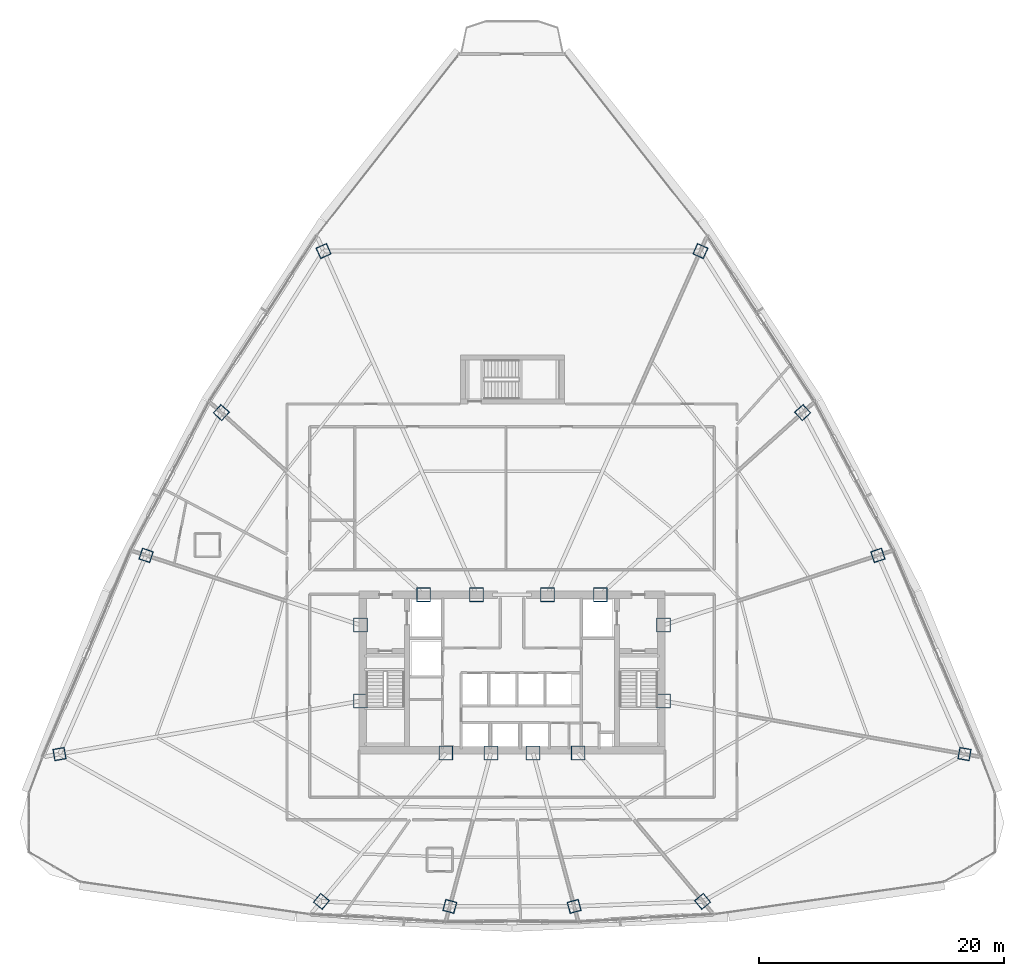
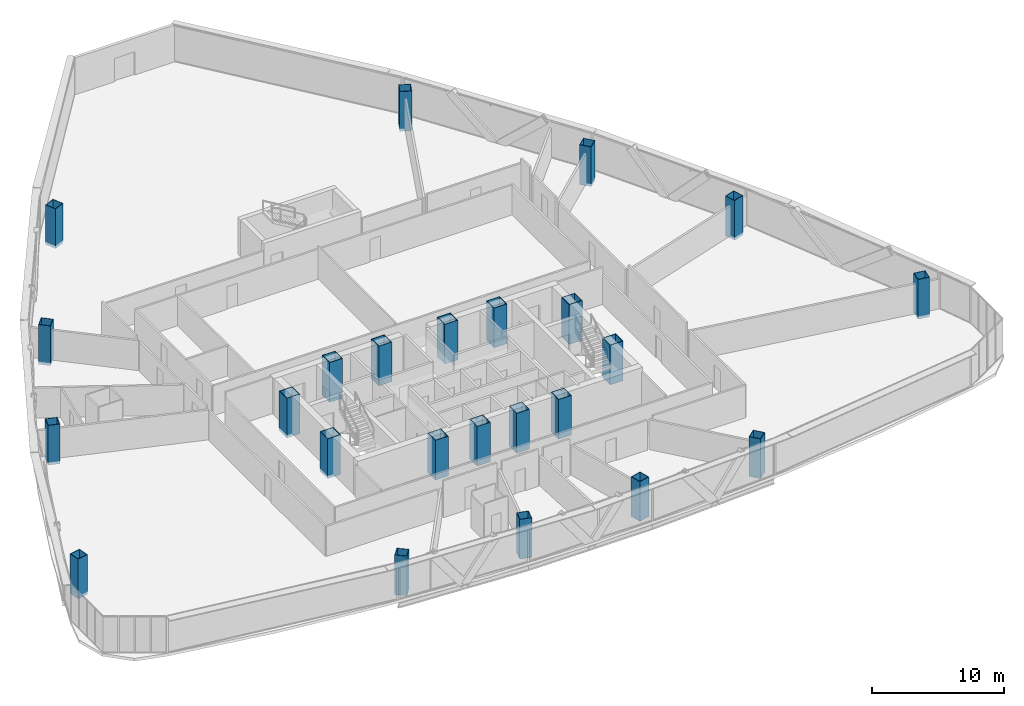
# One storey, part 1 of 42: 24 columns.
"""IFC4 building model written with IfcOpenShell, lengths in metres."""

from ifc_helpers import new_model, si_unit, direction, frame, origin, origin_2d, place, context, subcontext, project, spatial, hollow_rectangle, extrude, source, transform, mapped, material, material_profile, profile_set, type_object, element, save


model = new_model("IFC4")

# Units and contexts
model_context = context("Model", 3, precision=1e-05, world=origin(), true_north=direction((0.0, 1.0)))
body_context = subcontext(model_context, "Body", "Model", "MODEL_VIEW")
ifc_project = project(units=[si_unit("LENGTHUNIT", "METRE"), si_unit("AREAUNIT", "SQUARE_METRE"), si_unit("VOLUMEUNIT", "CUBIC_METRE"), si_unit("PLANEANGLEUNIT", "RADIAN"), si_unit("MASSUNIT", "GRAM", prefix="KILO"), si_unit("THERMODYNAMICTEMPERATUREUNIT", "KELVIN"), si_unit("POWERUNIT", "WATT")], contexts=[model_context])

# Site, building, storey
site_placement = place(None, origin())
site = spatial("IfcSite", under=ifc_project, at=site_placement, CompositionType="ELEMENT")
building_placement = place(site_placement, origin())
building = spatial("IfcBuilding", under=site, at=building_placement, Name="Yunzhuo Pagoda Commons", CompositionType="ELEMENT")
storey_placement = place(building_placement, frame((0.0, 0.0, 151.909912109375)))
storey = spatial("IfcBuildingStorey", under=building, at=storey_placement, Name="L38", CompositionType="ELEMENT", Elevation=151.909912109375)

# Columns
ifc_material = material(Name="Structural steel Q420B", Category="steel")
ifc_material_profile_1 = material_profile(ifc_material, hollow_rectangle(XDim=1.14990234375, YDim=1.14990234375, WallThickness=0.048095703125, at=origin_2d()), Name="Structural steel Q420B")
ifc_profile_set_1 = profile_set([ifc_material_profile_1], Name="Structural steel Q420B")
column_type_1 = type_object("IfcColumnType", Name="C-COR Column BOX 1150x1150x48", PredefinedType="COLUMN", material=ifc_profile_set_1)
shared_shape_1 = source(origin(), body_context, "Body", "SweptSolid", [
    extrude(hollow_rectangle(XDim=1.14990234375, YDim=1.14990234375, WallThickness=0.048095703125, at=origin_2d()), origin(), (0.0, 0.0, 1.0), 3.68017578125),
])
for number, where, z_axis, x_axis, name in (
    (1, (42.587890625, 27.25, -0.260009765625), (0.0, 0.0, 1.0), (1.0, 0.0, 0.0), "L38 core composite column F1C1"),
    (2, (46.27197265625, 27.25, -0.260009765625), (0.0, 0.0, 1.0), (1.0, 0.0, 0.0), "L38 core composite column F1C2"),
    (3, (49.728515625, 27.25, -0.260009765625), (0.0, 0.0, 1.0), (1.0, 0.0, 0.0), "L38 core composite column F1C3"),
    (4, (53.412109375, 27.25, -0.260009765625), (0.0, 0.0, 1.0), (1.0, 0.0, 0.0), "L38 core composite column F1C4"),
    (5, (60.39990234375, 31.513427734375, -0.260009765625), (0.0, 0.0, 1.0), (1.0, 0.0, 0.0), "L38 core composite column F2C1"),
    (6, (60.39990234375, 37.72900390625, -0.260009765625), (0.0, 0.0, 1.0), (1.0, 0.0, 0.0), "L38 core composite column F2C2"),
    (7, (55.218994140625, 40.199951171875, -0.260009765625), (0.0, 0.0, 1.0), (1.0, 0.0, 0.0), "L38 core composite column F2C3"),
    (8, (50.89404296875, 40.199951171875, -0.260009765625), (0.0, 0.0, 1.0), (1.0, 0.0, 0.0), "L38 core composite column F2C4"),
    (9, (45.10595703125, 40.199951171875, -0.260009765625), (0.0, 0.0, 1.0), (1.0, 0.0, 0.0), "L38 core composite column F3C1"),
    (10, (40.781005859375, 40.199951171875, -0.260009765625), (0.0, 0.0, 1.0), (1.0, 0.0, 0.0), "L38 core composite column F3C2"),
    (11, (35.60009765625, 37.72900390625, -0.260009765625), (0.0, 0.0, 1.0), (1.0, 0.0, 0.0), "L38 core composite column F3C3"),
    (12, (35.60009765625, 31.513427734375, -0.260009765625), (0.0, 0.0, 1.0), (1.0, 0.0, 0.0), "L38 core composite column F3C4"),
):
    element("IfcColumn", number, at=place(storey_placement, frame(where, z_axis=z_axis, x_axis=x_axis)), inside=storey, type_object=column_type_1, Name=name, PredefinedType="COLUMN", context=body_context, shape_type="MappedRepresentation", body=[
        mapped(shared_shape_1, transform((0.0, 0.0, 0.0), scale=1.0)),
    ])
ifc_material_profile_2 = material_profile(ifc_material, hollow_rectangle(XDim=0.949951171875, YDim=0.949951171875, WallThickness=0.0400390625, at=origin_2d()), Name="Structural steel Q420B")
ifc_profile_set_2 = profile_set([ifc_material_profile_2], Name="Structural steel Q420B")
column_type_2 = type_object("IfcColumnType", Name="C-Z3 Column BOX 950x950x40", PredefinedType="COLUMN", material=ifc_profile_set_2)
shared_shape_2 = source(origin(), body_context, "Body", "SweptSolid", [
    extrude(hollow_rectangle(XDim=0.949951171875, YDim=0.949951171875, WallThickness=0.0400390625, at=origin_2d()), origin(), (0.0, 0.0, 1.0), 3.68017578125),
])
for number, where, z_axis, x_axis, name in (
    (13, (32.414794921875, 15.126220703125, -0.260009765625), (0.0, 0.0, 1.0), (0.766044443119, -0.642787609687, 0.0), "L38 tower column F1C1"),
    (14, (42.914794921875, 14.7216796875, -0.260009765625), (0.0, 0.0, 1.0), (0.965925826289, -0.258819045103, 0.0), "L38 tower column F1C2"),
    (15, (53.085205078125, 14.7216796875, -0.260009765625), (0.0, 0.0, 1.0), (0.965925826289, 0.258819045103, 0.0), "L38 tower column F1C3"),
    (16, (63.585205078125, 15.126220703125, -0.260009765625), (0.0, 0.0, 1.0), (0.766044443119, 0.642787609687, 0.0), "L38 tower column F1C4"),
    (17, (84.9970703125, 27.176513671875, -0.260009765625), (0.0, 0.0, 1.0), (0.173648177667, 0.984807753012, 0.0), "L38 tower column F2C1"),
    (18, (77.915283203125, 43.420166015625, -0.260009765625), (0.0, 0.0, 1.0), (-0.309016994375, 0.951056516295, 0.0), "L38 tower column F2C2"),
    (19, (71.76611328125, 55.09912109375, -0.260009765625), (0.0, 0.0, 1.0), (-0.669130606359, 0.743144825477, 0.0), "L38 tower column F2C3"),
    (20, (63.406005859375, 68.302734375, -0.260009765625), (0.0, 0.0, 1.0), (-0.913545457643, 0.406736643076, 0.0), "L38 tower column F2C4"),
    (21, (32.593994140625, 68.302734375, -0.260009765625), (0.0, 0.0, 1.0), (-0.913545457643, -0.406736643076, 0.0), "L38 tower column F3C1"),
    (22, (24.23388671875, 55.09912109375, -0.260009765625), (0.0, 0.0, 1.0), (-0.669130606359, -0.743144825477, 0.0), "L38 tower column F3C2"),
    (23, (18.084716796875, 43.420166015625, -0.260009765625), (0.0, 0.0, 1.0), (-0.309016994375, -0.951056516295, 0.0), "L38 tower column F3C3"),
    (24, (11.0029296875, 27.176513671875, -0.260009765625), (0.0, 0.0, 1.0), (0.173648177667, -0.984807753012, 0.0), "L38 tower column F3C4"),
):
    element("IfcColumn", number, at=place(storey_placement, frame(where, z_axis=z_axis, x_axis=x_axis)), inside=storey, type_object=column_type_2, Name=name, PredefinedType="COLUMN", context=body_context, shape_type="MappedRepresentation", body=[
        mapped(shared_shape_2, transform((0.0, 0.0, 0.0), scale=1.0)),
    ])

save(model, "model.ifc")
